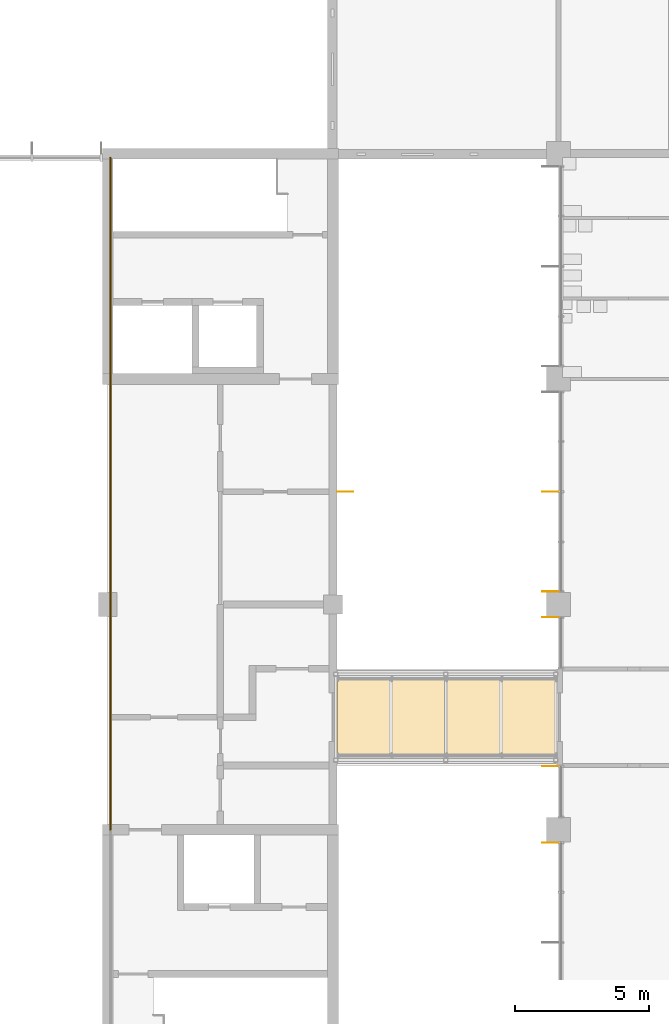
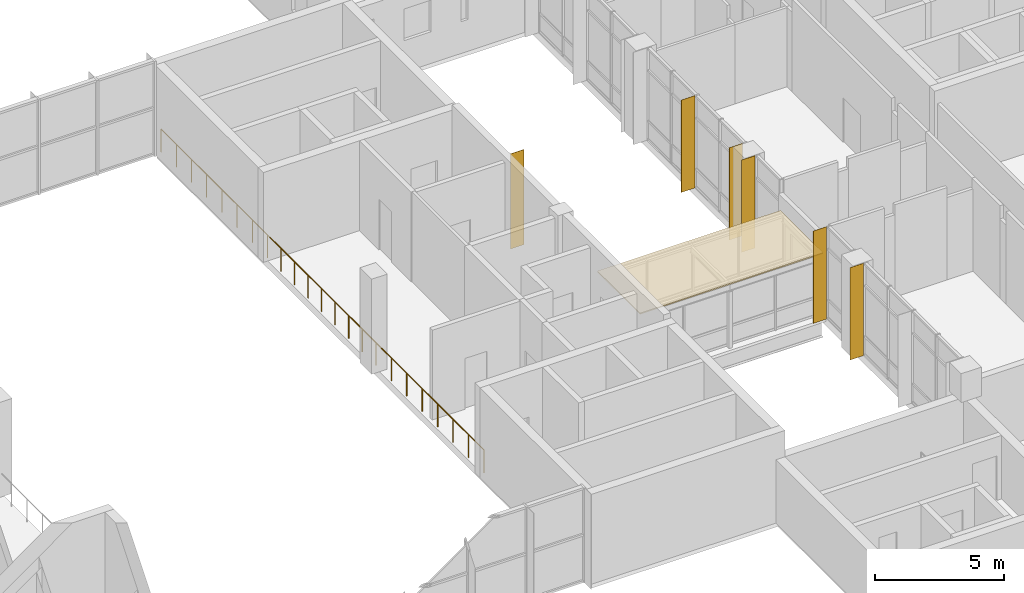
# One storey, part 63 of 70: 6 shading devices, 3 railings, 1 covering.
"""IFC4 building model written with IfcOpenShell, lengths in metres."""

import ifcopenshell
import ifcopenshell.guid

model = None  # the IFC model being written
_history = None  # IfcOwnerHistory: only IFC2X3 demands one
_inside = {}  # id of a spatial element -> (the spatial element, [elements in it])
_under = {}  # id of a project, library or spatial element -> (it, [spatial elements below it])
_declared = {}  # id of a project -> (the project, [libraries it declares])
_typed = {}  # id of a type object -> (the type object, [elements of that type])
_made_of = {}  # id of a material, layer set ... -> (it, [elements and type objects made of it])


def new_model(schema):
    """Start an empty IFC model of exactly this schema.

    Asked for "IFC4X3", IfcOpenShell would pick the latest addendum, in which some entities
    have other attributes; the version numbers below select the first issue.
    IFC2X3 requires an IfcOwnerHistory on every rooted entity: one is made here for all.
    """
    global model, _history
    if schema == "IFC4X3":
        model = ifcopenshell.file(schema_version=(4, 3, 0, 0))
    else:
        model = ifcopenshell.file(schema=schema)
    _inside.clear()
    _under.clear()
    _declared.clear()
    _typed.clear()
    _made_of.clear()
    _history = None
    if model.schema == "IFC2X3":
        org = make("IfcOrganization", Name="unknown")
        user = make(
            "IfcPersonAndOrganization",
            ThePerson=make("IfcPerson", FamilyName="unknown"),
            TheOrganization=org,
        )
        app = make(
            "IfcApplication",
            ApplicationDeveloper=org,
            Version="unknown",
            ApplicationFullName="unknown",
            ApplicationIdentifier="unknown",
        )
        _history = make(
            "IfcOwnerHistory",
            OwningUser=user,
            OwningApplication=app,
            ChangeAction="ADDED",
            CreationDate=0,
        )
    return model


def make(cls, **values):
    """One entity of the class cls with the attributes given. An attribute that is None is left unset."""
    return model.create_entity(
        cls, **{name: value for name, value in values.items() if value is not None}
    )


def rooted(cls, **values):
    """An entity with a GlobalId (a new one), such as an element, a storey or a relation."""
    return make(cls, GlobalId=ifcopenshell.guid.new(), OwnerHistory=_history, **values)


def si_unit(unit_type, name, prefix=None):
    """IfcSIUnit, for example si_unit("LENGTHUNIT", "METRE", prefix="MILLI")."""
    return make("IfcSIUnit", UnitType=unit_type, Prefix=prefix, Name=name)


def assignment(units):
    """IfcUnitAssignment: the units of a project."""
    return None if units is None else make("IfcUnitAssignment", Units=units)


def point(xyz):
    """IfcCartesianPoint."""
    return None if xyz is None else make("IfcCartesianPoint", Coordinates=xyz)


def direction(xyz):
    """IfcDirection."""
    return None if xyz is None else make("IfcDirection", DirectionRatios=xyz)


def frame(location, z_axis=None, x_axis=None):
    """IfcAxis2Placement3D, a coordinate frame: its origin and axes. An axis left out is left unset."""
    return make(
        "IfcAxis2Placement3D",
        Location=point(location),
        Axis=direction(z_axis),
        RefDirection=direction(x_axis),
    )


def frame_2d(location, x_axis=None):
    """IfcAxis2Placement2D, a coordinate frame in the plane: its origin and x axis."""
    return make(
        "IfcAxis2Placement2D", Location=point(location), RefDirection=direction(x_axis)
    )


def origin():
    """The frame at (0, 0, 0) with its axes left unset."""
    return frame((0.0, 0.0, 0.0))


def origin_2d():
    """The frame at (0, 0) in the plane with its x axis left unset."""
    return frame_2d((0.0, 0.0))


def place(relative_to, where):
    """IfcLocalPlacement: puts the frame where relative to a parent placement (None: the world)."""
    return make(
        "IfcLocalPlacement", PlacementRelTo=relative_to, RelativePlacement=where
    )


def context(
    kind, dimensions, precision=None, world=None, true_north=None, identifier=None
):
    """IfcGeometricRepresentationContext, for example the 3D "Model" context."""
    return make(
        "IfcGeometricRepresentationContext",
        ContextIdentifier=identifier,
        ContextType=kind,
        CoordinateSpaceDimension=dimensions,
        Precision=precision,
        WorldCoordinateSystem=world,
        TrueNorth=true_north,
    )


def subcontext(parent, identifier, kind, view, scale=None):
    """IfcGeometricRepresentationSubContext, for example "Body" below "Model"."""
    return make(
        "IfcGeometricRepresentationSubContext",
        ContextIdentifier=identifier,
        ContextType=kind,
        ParentContext=parent,
        TargetScale=scale,
        TargetView=view,
    )


def project(units=None, contexts=None):
    """IfcProject with its units and contexts."""
    return rooted(
        "IfcProject",
        Name="project",
        RepresentationContexts=contexts,
        UnitsInContext=assignment(units),
    )


def spatial(cls, under=None, at=None, **own):
    """A site, building, storey or space (cls), placed at a placement, below another one or the project."""
    s = rooted(cls, ObjectPlacement=at, **own)
    if under is not None:
        _under.setdefault(under.id(), (under, []))[1].append(s)
    return s


def polyline(points):
    """IfcPolyline through the points."""
    return make("IfcPolyline", Points=[point(p) for p in points])


def profile(cls, at=None, kind="AREA", **sizes):
    """A parametric profile (cls). Its sizes go by their IFC names, for example OverallWidth=200.0."""
    return make(cls, ProfileType=kind, Position=at, **sizes)


def rectangle(**sizes):
    """IfcRectangleProfileDef."""
    return profile("IfcRectangleProfileDef", **sizes)


def circle(**sizes):
    """IfcCircleProfileDef."""
    return profile("IfcCircleProfileDef", **sizes)


def outline(outer, holes=None, kind="AREA"):
    """IfcArbitraryClosedProfileDef: a profile drawn as a closed curve; with holes, ...WithVoids."""
    if holes is None:
        return make("IfcArbitraryClosedProfileDef", ProfileType=kind, OuterCurve=outer)
    return make(
        "IfcArbitraryProfileDefWithVoids",
        ProfileType=kind,
        OuterCurve=outer,
        InnerCurves=holes,
    )


def extrude(swept, where, along, depth):
    """IfcExtrudedAreaSolid: the profile swept, set in the frame where, extruded along a direction by depth."""
    return make(
        "IfcExtrudedAreaSolid",
        SweptArea=swept,
        Position=where,
        ExtrudedDirection=direction(along),
        Depth=depth,
    )


def shape(context_of_items, identifier, shape_type, items):
    """IfcShapeRepresentation: the items that make up one representation, for example the "Body"."""
    return make(
        "IfcShapeRepresentation",
        ContextOfItems=context_of_items,
        RepresentationIdentifier=identifier,
        RepresentationType=shape_type,
        Items=items,
    )


def material(Name=None, Category=None):
    """IfcMaterial."""
    return make("IfcMaterial", Name=Name, Category=Category)


def layer(
    of_material, thickness, ventilated=None, Name=None, Category=None, Priority=None
):
    """IfcMaterialLayer: one layer of a wall or slab, of a material (None: an air gap)."""
    return make(
        "IfcMaterialLayer",
        Material=of_material,
        LayerThickness=thickness,
        IsVentilated=ventilated,
        Name=Name,
        Category=Category,
        Priority=Priority,
    )


def layer_set(layers, Name=None):
    """IfcMaterialLayerSet."""
    return make("IfcMaterialLayerSet", MaterialLayers=layers, LayerSetName=Name)


def made_of(thing, what):
    """Note that an element or type object is made of a material, layer set ...; save() writes the relation."""
    if what is not None:
        _made_of.setdefault(what.id(), (what, []))[1].append(thing)
    return thing


def type_object(cls, material=None, **own):
    """A type object (cls), such as IfcWallType, which elements share."""
    return made_of(rooted(cls, **own), material)


def element(
    cls,
    number,
    at=None,
    inside=None,
    cuts=None,
    type_object=None,
    material=None,
    context=None,
    identifier="Body",
    shape_type=None,
    held_by="IfcProductDefinitionShape",
    body=None,
    shapes=None,
    **own,
):
    """One element of the class cls, such as IfcWall. Its Tag is "e" and its number.

    at: its placement. inside: the storey or other place that contains it. cuts: it is an
    opening in that element (IfcRelVoidsElement). A single representation is given by context,
    identifier, shape_type and body (its items); several are given by shapes. held_by: the class
    of the entity that holds the representations. save() writes the other relations.
    """
    e = rooted(cls, Tag="e%d" % number, ObjectPlacement=at, **own)
    if body is not None:
        shapes = [shape(context, identifier, shape_type, body)]
    if shapes is not None:
        e.Representation = make(held_by, Representations=shapes)
    if inside is not None:
        _inside.setdefault(inside.id(), (inside, []))[1].append(e)
    if cuts is not None:
        rooted(
            "IfcRelVoidsElement", RelatingBuildingElement=cuts, RelatedOpeningElement=e
        )
    if type_object is not None:
        _typed.setdefault(type_object.id(), (type_object, []))[1].append(e)
    return made_of(e, material)


def aggregate(whole, parts):
    """IfcRelAggregates: a whole, such as a stair, and the parts it consists of."""
    return rooted("IfcRelAggregates", RelatingObject=whole, RelatedObjects=parts)


def save(model, path):
    """Write the relations noted so far, then the file.

    IfcRelAggregates (storeys below a building ...), IfcRelContainedInSpatialStructure (elements
    in a storey), IfcRelDefinesByType, IfcRelAssociatesMaterial and IfcRelDeclares: one each for
    every whole, place, type object, material and project.
    """
    for whole, parts in _under.values():
        aggregate(whole, parts)
    for where, things in _inside.values():
        rooted(
            "IfcRelContainedInSpatialStructure",
            RelatedElements=things,
            RelatingStructure=where,
        )
    for kind, things in _typed.values():
        rooted("IfcRelDefinesByType", RelatedObjects=things, RelatingType=kind)
    for what, things in _made_of.values():
        rooted("IfcRelAssociatesMaterial", RelatedObjects=things, RelatingMaterial=what)
    for by, libraries in _declared.values():
        rooted("IfcRelDeclares", RelatingContext=by, RelatedDefinitions=libraries)
    model.write(path)


model = new_model("IFC4")

# Units and contexts
model_context = context("Model", 3, precision=1e-05, world=origin(), true_north=direction((0.0, 1.0)))
body_context = subcontext(model_context, "Body", "Model", "MODEL_VIEW")
ifc_project = project(units=[si_unit("LENGTHUNIT", "METRE"), si_unit("AREAUNIT", "SQUARE_METRE"), si_unit("VOLUMEUNIT", "CUBIC_METRE"), si_unit("PLANEANGLEUNIT", "RADIAN"), si_unit("MASSUNIT", "GRAM", prefix="KILO")], contexts=[model_context])

# Site, building, storey
site_placement = place(None, origin())
site = spatial("IfcSite", under=ifc_project, at=site_placement, CompositionType="ELEMENT")
building_placement = place(site_placement, origin())
building = spatial("IfcBuilding", under=site, at=building_placement, Name="Hlaing Beacon Police Headquarters", CompositionType="ELEMENT")
storey_placement = place(building_placement, frame((0.0, 0.0, 5.39990234375)))
storey = spatial("IfcBuildingStorey", under=building, at=storey_placement, Name="L01", CompositionType="ELEMENT", Elevation=5.39990234375)

# Shading devices
ifc_material_1 = material(Name="Aluminium 6063-T5 anodised", Category="aluminium")
ifc_layer_1 = layer(ifc_material_1, 0.011962890625)
ifc_layer_set_1 = layer_set([ifc_layer_1], Name="Aluminium 6063-T5 anodised")
shading_device_type = type_object("IfcShadingDeviceType", Name="Aluminium fin 12x600", PredefinedType="JALOUSIE", material=ifc_layer_set_1)
for number, where, z_axis, x_axis, name in (
    (1, (100.5, 54.60009765625, 0.0), (0.0, 0.0, 1.0), (0.0, -1.0, 0.0), "Fin L01 W024.2"),
    (2, (100.5, 50.8798828125, 0.0), (0.0, 0.0, 1.0), (0.0, -1.0, 0.0), "Fin L01 W024.4"),
    (3, (100.5, 49.919921875, 0.0), (0.0, 0.0, 1.0), (0.0, -1.0, 0.0), "Fin L01 W025.0"),
    (4, (100.5, 44.3701171875, 0.0), (0.0, 0.0, 1.0), (0.0, -1.0, 0.0), "Fin L01 W026.0"),
    (5, (100.5, 41.52001953125, 0.0), (0.0, 0.0, 1.0), (0.0, -1.0, 0.0), "Fin L01 W027.0"),
):
    element("IfcShadingDevice", number, at=place(storey_placement, frame(where, z_axis=z_axis, x_axis=x_axis)), inside=storey, type_object=shading_device_type, Name=name, PredefinedType="JALOUSIE", context=body_context, shape_type="SweptSolid", body=[
        extrude(rectangle(XDim=0.011962890625, YDim=0.60009765625, at=origin_2d()), origin(), (0.0, 0.0, 1.0), 4.3701171875),
    ])
shading_device_placement = place(storey_placement, frame((92.85009765625, 54.60009765625, 0.0), z_axis=(0.0, 0.0, 1.0), x_axis=(0.0, 1.0, 0.0)))
element("IfcShadingDevice", 6, at=shading_device_placement, inside=storey, type_object=shading_device_type, Name="Fin L01 E007", PredefinedType="JALOUSIE", context=body_context, shape_type="SweptSolid", body=[
    extrude(rectangle(XDim=0.011962890625, YDim=0.60009765625, at=origin_2d()), origin(), (0.0, 0.0, 1.0), 4.5),
])

# Covering
ifc_material_2 = material(Name="Bituminous roofing membrane")
ifc_layer_2 = layer(ifc_material_2, 0.050048828125)
ifc_layer_set_2 = layer_set([ifc_layer_2], Name="Bituminous roofing membrane")
covering_type = type_object("IfcCoveringType", Name="Bridge roofing 50", PredefinedType="ROOFING", material=ifc_layer_set_2)
covering_placement = place(storey_placement, frame((0.0, 0.0, 3.0)))
element("IfcCovering", 7, at=covering_placement, inside=storey, type_object=covering_type, Name="East court bridge roofing", PredefinedType="ROOFING", context=body_context, shape_type="SweptSolid", body=[
    extrude(outline(polyline([(92.550048828125, 44.549072265625), (100.75, 44.549072265625), (100.75, 47.850830078125), (92.550048828125, 47.850830078125), (92.550048828125, 44.549072265625)])), origin(), (0.0, 0.0, 1.0), 0.050048828125),
])

# Railings
ifc_material_3 = material(Name="Stainless steel", Category="steel")
railing_type = type_object("IfcRailingType", Name="Guard 1100", PredefinedType="GUARDRAIL", material=ifc_material_3)
railing_1_placement = place(storey_placement, frame((84.10009765625, 67.050048828125, 0.0)))
element("IfcRailing", 8, at=railing_1_placement, inside=storey, type_object=railing_type, Name="Guard L01 8", PredefinedType="GUARDRAIL", context=body_context, shape_type="SweptSolid", body=[
    extrude(circle(Radius=0.02392578125, at=origin_2d()), frame((0.0, 0.0, 1.076171875), z_axis=(0.0, -1.0, 0.0), x_axis=(1.0, 0.0, 0.0)), (0.0, 0.0, 1.0), 8.25),
    extrude(circle(Radius=0.02099609375, at=origin_2d()), origin(), (0.0, 0.0, 1.0), 1.052001953125),
    extrude(circle(Radius=0.02099609375, at=origin_2d()), frame((0.0, -1.178466796875, 0.0)), (0.0, 0.0, 1.0), 1.052001953125),
    extrude(circle(Radius=0.02099609375, at=origin_2d()), frame((0.0, -2.357177734375, 0.0)), (0.0, 0.0, 1.0), 1.052001953125),
    extrude(circle(Radius=0.02099609375, at=origin_2d()), frame((0.0, -3.53564453125, 0.0)), (0.0, 0.0, 1.0), 1.052001953125),
    extrude(circle(Radius=0.02099609375, at=origin_2d()), frame((0.0, -4.71435546875, 0.0)), (0.0, 0.0, 1.0), 1.052001953125),
    extrude(circle(Radius=0.02099609375, at=origin_2d()), frame((0.0, -5.892822265625, 0.0)), (0.0, 0.0, 1.0), 1.052001953125),
    extrude(circle(Radius=0.02099609375, at=origin_2d()), frame((0.0, -7.071533203125, 0.0)), (0.0, 0.0, 1.0), 1.052001953125),
    extrude(circle(Radius=0.02099609375, at=origin_2d()), frame((0.0, -8.25, 0.0)), (0.0, 0.0, 1.0), 1.052001953125),
])
railing_2_placement = place(storey_placement, frame((84.10009765625, 58.800048828125, 0.0)))
element("IfcRailing", 9, at=railing_2_placement, inside=storey, type_object=railing_type, Name="Guard L01 9", PredefinedType="GUARDRAIL", context=body_context, shape_type="SweptSolid", body=[
    extrude(circle(Radius=0.02392578125, at=origin_2d()), frame((0.0, 0.0, 1.076171875), z_axis=(0.0, -1.0, 0.0), x_axis=(1.0, 0.0, 0.0)), (0.0, 0.0, 1.0), 8.400146484375),
    extrude(circle(Radius=0.02099609375, at=origin_2d()), origin(), (0.0, 0.0, 1.0), 1.052001953125),
    extrude(circle(Radius=0.02099609375, at=origin_2d()), frame((0.0, -1.050048828125, 0.0)), (0.0, 0.0, 1.0), 1.052001953125),
    extrude(circle(Radius=0.02099609375, at=origin_2d()), frame((0.0, -2.10009765625, 0.0)), (0.0, 0.0, 1.0), 1.052001953125),
    extrude(circle(Radius=0.02099609375, at=origin_2d()), frame((0.0, -3.150146484375, 0.0)), (0.0, 0.0, 1.0), 1.052001953125),
    extrude(circle(Radius=0.02099609375, at=origin_2d()), frame((0.0, -4.2001953125, 0.0)), (0.0, 0.0, 1.0), 1.052001953125),
    extrude(circle(Radius=0.02099609375, at=origin_2d()), frame((0.0, -5.25, 0.0)), (0.0, 0.0, 1.0), 1.052001953125),
    extrude(circle(Radius=0.02099609375, at=origin_2d()), frame((0.0, -6.300048828125, 0.0)), (0.0, 0.0, 1.0), 1.052001953125),
    extrude(circle(Radius=0.02099609375, at=origin_2d()), frame((0.0, -7.35009765625, 0.0)), (0.0, 0.0, 1.0), 1.052001953125),
    extrude(circle(Radius=0.02099609375, at=origin_2d()), frame((0.0, -8.400146484375, 0.0)), (0.0, 0.0, 1.0), 1.052001953125),
])
railing_3_placement = place(storey_placement, frame((84.10009765625, 50.39990234375, 0.0)))
element("IfcRailing", 10, at=railing_3_placement, inside=storey, type_object=railing_type, Name="Guard L01 10", PredefinedType="GUARDRAIL", context=body_context, shape_type="SweptSolid", body=[
    extrude(circle(Radius=0.02392578125, at=origin_2d()), frame((0.0, 0.0, 1.076171875), z_axis=(0.0, -1.0, 0.0), x_axis=(1.0, 0.0, 0.0)), (0.0, 0.0, 1.0), 8.39990234375),
    extrude(circle(Radius=0.02099609375, at=origin_2d()), origin(), (0.0, 0.0, 1.0), 1.052001953125),
    extrude(circle(Radius=0.02099609375, at=origin_2d()), frame((0.0, -1.199951171875, 0.0)), (0.0, 0.0, 1.0), 1.052001953125),
    extrude(circle(Radius=0.02099609375, at=origin_2d()), frame((0.0, -2.39990234375, 0.0)), (0.0, 0.0, 1.0), 1.052001953125),
    extrude(circle(Radius=0.02099609375, at=origin_2d()), frame((0.0, -3.599853515625, 0.0)), (0.0, 0.0, 1.0), 1.052001953125),
    extrude(circle(Radius=0.02099609375, at=origin_2d()), frame((0.0, -4.800048828125, 0.0)), (0.0, 0.0, 1.0), 1.052001953125),
    extrude(circle(Radius=0.02099609375, at=origin_2d()), frame((0.0, -6.0, 0.0)), (0.0, 0.0, 1.0), 1.052001953125),
    extrude(circle(Radius=0.02099609375, at=origin_2d()), frame((0.0, -7.199951171875, 0.0)), (0.0, 0.0, 1.0), 1.052001953125),
    extrude(circle(Radius=0.02099609375, at=origin_2d()), frame((0.0, -8.39990234375, 0.0)), (0.0, 0.0, 1.0), 1.052001953125),
])

save(model, "model.ifc")
